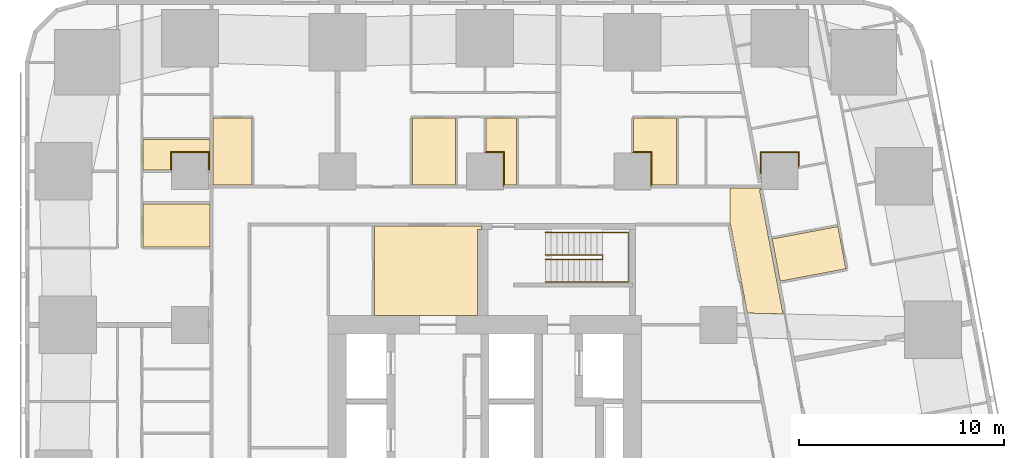
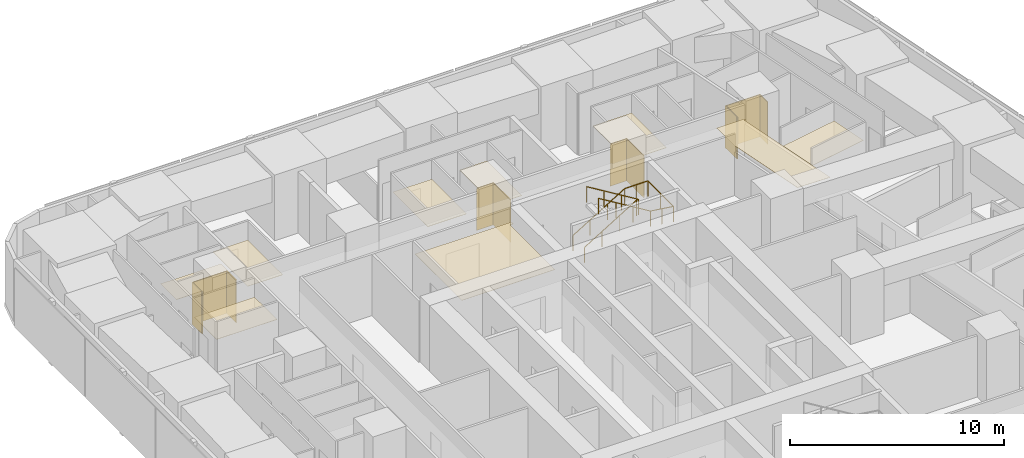
# One storey, part 18 of 18: 13 coverings, 2 railings.
"""IFC4 building model written with IfcOpenShell, lengths in metres."""

from ifc_helpers import new_model, si_unit, direction, frame, origin, origin_2d, place, context, subcontext, project, spatial, polyline, circle, outline, extrude, material, layer, layer_set, type_object, element, save


model = new_model("IFC4")

# Units and contexts
model_context = context("Model", 3, precision=1e-05, world=origin(), true_north=direction((0.0, 1.0)))
body_context = subcontext(model_context, "Body", "Model", "MODEL_VIEW")
ifc_project = project(units=[si_unit("LENGTHUNIT", "METRE"), si_unit("AREAUNIT", "SQUARE_METRE"), si_unit("VOLUMEUNIT", "CUBIC_METRE"), si_unit("PLANEANGLEUNIT", "RADIAN"), si_unit("MASSUNIT", "GRAM", prefix="KILO")], contexts=[model_context])

# Site, building, storey
site_placement = place(None, origin())
site = spatial("IfcSite", under=ifc_project, at=site_placement, CompositionType="ELEMENT")
building_placement = place(site_placement, origin())
building = spatial("IfcBuilding", under=site, at=building_placement, Name="Sheger Commons Tower", CompositionType="ELEMENT")
storey_placement = place(building_placement, frame((0.0, 0.0, 31.25)))
storey = spatial("IfcBuildingStorey", under=building, at=storey_placement, Name="L07", CompositionType="ELEMENT", Elevation=31.25)

# Railings
ifc_material_1 = material(Name="Steel handrail, black powder-coated", Category="steel")
railing_type = type_object("IfcRailingType", Name="HANDRAIL 900", PredefinedType="HANDRAIL", material=ifc_material_1)
railing_1_placement = place(storey_placement, frame((24.550048828125, 33.39990234375, 0.17041015625)))
element("IfcRailing", 1, at=railing_1_placement, inside=storey, type_object=railing_type, Name="Stair S2 handrail L07", PredefinedType="HANDRAIL", context=body_context, shape_type="SweptSolid", body=[
    extrude(circle(Radius=0.02392578125, at=origin_2d()), frame((0.0, 0.0, 0.8759765625), z_axis=(0.854169791009, 0.0, 0.51999420009), x_axis=(0.0, 1.0, 0.0)), (0.0, 0.0, 1.0), 3.278076171875),
    extrude(circle(Radius=0.02392578125, at=origin_2d()), frame((2.800048828125, 0.0, 2.58056640625), z_axis=(0.0, -0.761090297175, 0.648645943136), x_axis=(1.0, 0.0, 0.0)), (0.0, 0.0, 1.0), 0.2626953125),
    extrude(circle(Radius=0.02392578125, at=origin_2d()), frame((2.800048828125, -0.199951171875, 2.7509765625), z_axis=(-0.854169791009, 0.0, 0.51999420009), x_axis=(0.0, -1.0, 0.0)), (0.0, 0.0, 1.0), 3.278076171875),
    extrude(circle(Radius=0.02099609375, at=origin_2d()), origin(), (0.0, 0.0, 1.0), 0.851806640625),
    extrude(circle(Radius=0.02099609375, at=origin_2d()), frame((0.933349609375, 0.0, 0.568115234375)), (0.0, 0.0, 1.0), 0.851806640625),
    extrude(circle(Radius=0.02099609375, at=origin_2d()), frame((1.86669921875, 0.0, 1.136474609375)), (0.0, 0.0, 1.0), 0.851806640625),
    extrude(circle(Radius=0.02099609375, at=origin_2d()), frame((2.800048828125, 0.0, 1.70458984375)), (0.0, 0.0, 1.0), 0.851806640625),
    extrude(circle(Radius=0.02099609375, at=origin_2d()), frame((2.800048828125, -0.199951171875, 1.875)), (0.0, 0.0, 1.0), 0.851806640625),
    extrude(circle(Radius=0.02099609375, at=origin_2d()), frame((1.86669921875, -0.199951171875, 2.443115234375)), (0.0, 0.0, 1.0), 0.851806640625),
    extrude(circle(Radius=0.02099609375, at=origin_2d()), frame((0.933349609375, -0.199951171875, 3.011474609375)), (0.0, 0.0, 1.0), 0.851806640625),
    extrude(circle(Radius=0.02099609375, at=origin_2d()), frame((0.0, -0.199951171875, 3.57958984375)), (0.0, 0.0, 1.0), 0.851806640625),
])
railing_2_placement = place(storey_placement, frame((24.550048828125, 34.5, 0.17041015625)))
element("IfcRailing", 2, at=railing_2_placement, inside=storey, type_object=railing_type, Name="Stair S2 handrail L07", PredefinedType="HANDRAIL", context=body_context, shape_type="SweptSolid", body=[
    extrude(circle(Radius=0.02392578125, at=origin_2d()), frame((0.0, 0.0, 0.8759765625), z_axis=(0.854169791009, 0.0, 0.51999420009), x_axis=(0.0, 1.0, 0.0)), (0.0, 0.0, 1.0), 3.278076171875),
    extrude(circle(Radius=0.02392578125, at=origin_2d()), frame((2.800048828125, 0.0, 2.58056640625), z_axis=(1.0, 0.0, 0.0), x_axis=(0.0, 1.0, 0.0)), (0.0, 0.0, 1.0), 1.25),
    extrude(circle(Radius=0.02392578125, at=origin_2d()), frame((4.050048828125, 0.0, 2.58056640625), z_axis=(0.0, -1.0, 0.0), x_axis=(1.0, 0.0, 0.0)), (0.0, 0.0, 1.0), 2.39990234375),
    extrude(circle(Radius=0.02392578125, at=origin_2d()), frame((4.050048828125, -2.39990234375, 2.58056640625), z_axis=(-0.990834877927, 0.0, 0.135078661092), x_axis=(0.0, -1.0, 0.0)), (0.0, 0.0, 1.0), 1.261474609375),
    extrude(circle(Radius=0.02392578125, at=origin_2d()), frame((2.800048828125, -2.39990234375, 2.7509765625), z_axis=(-0.854169791009, 0.0, 0.51999420009), x_axis=(0.0, -1.0, 0.0)), (0.0, 0.0, 1.0), 3.278076171875),
    extrude(circle(Radius=0.02099609375, at=origin_2d()), origin(), (0.0, 0.0, 1.0), 0.851806640625),
    extrude(circle(Radius=0.02099609375, at=origin_2d()), frame((0.933349609375, 0.0, 0.568115234375)), (0.0, 0.0, 1.0), 0.851806640625),
    extrude(circle(Radius=0.02099609375, at=origin_2d()), frame((1.86669921875, 0.0, 1.136474609375)), (0.0, 0.0, 1.0), 0.851806640625),
    extrude(circle(Radius=0.02099609375, at=origin_2d()), frame((2.800048828125, 0.0, 1.70458984375)), (0.0, 0.0, 1.0), 0.851806640625),
    extrude(circle(Radius=0.02099609375, at=origin_2d()), frame((3.425048828125, 0.0, 1.70458984375)), (0.0, 0.0, 1.0), 0.851806640625),
    extrude(circle(Radius=0.02099609375, at=origin_2d()), frame((4.050048828125, 0.0, 1.70458984375)), (0.0, 0.0, 1.0), 0.851806640625),
    extrude(circle(Radius=0.02099609375, at=origin_2d()), frame((4.050048828125, -1.199951171875, 1.70458984375)), (0.0, 0.0, 1.0), 0.851806640625),
    extrude(circle(Radius=0.02099609375, at=origin_2d()), frame((4.050048828125, -2.39990234375, 1.70458984375)), (0.0, 0.0, 1.0), 0.851806640625),
    extrude(circle(Radius=0.02099609375, at=origin_2d()), frame((3.425048828125, -2.39990234375, 1.789794921875)), (0.0, 0.0, 1.0), 0.851806640625),
    extrude(circle(Radius=0.02099609375, at=origin_2d()), frame((2.800048828125, -2.39990234375, 1.875)), (0.0, 0.0, 1.0), 0.851806640625),
    extrude(circle(Radius=0.02099609375, at=origin_2d()), frame((1.86669921875, -2.39990234375, 2.443115234375)), (0.0, 0.0, 1.0), 0.851806640625),
    extrude(circle(Radius=0.02099609375, at=origin_2d()), frame((0.933349609375, -2.39990234375, 3.011474609375)), (0.0, 0.0, 1.0), 0.851806640625),
    extrude(circle(Radius=0.02099609375, at=origin_2d()), frame((0.0, -2.39990234375, 3.57958984375)), (0.0, 0.0, 1.0), 0.851806640625),
])

# Coverings
ifc_material_2 = material(Name="Moisture-resistant gypsum plasterboard 15 mm on a suspended galvanised steel grid", Category="steel")
ifc_layer_1 = layer(ifc_material_2, 0.014892578125)
ifc_layer_set_1 = layer_set([ifc_layer_1], Name="MOISTURE-RESISTANT CEILING 15")
covering_type_1 = type_object("IfcCoveringType", Name="MOISTURE-RESISTANT CEILING 15", PredefinedType="CEILING", material=ifc_layer_set_1)
covering_1_placement = place(storey_placement, frame((0.0, 0.0, 2.39990234375)))
element("IfcCovering", 3, at=covering_1_placement, inside=storey, type_object=covering_type_1, Name="L07-03.B1 ceiling", PredefinedType="CEILING", context=body_context, shape_type="SweptSolid", body=[
    extrude(outline(polyline([(4.905029296875, 33.804931640625), (8.169921875, 33.804931640625), (8.169921875, 35.905029296875), (4.905029296875, 35.905029296875), (4.905029296875, 33.804931640625)])), origin(), (0.0, 0.0, 1.0), 0.01513671875),
])
covering_2_placement = place(storey_placement, frame((0.0, 0.0, 2.39990234375)))
element("IfcCovering", 4, at=covering_2_placement, inside=storey, type_object=covering_type_1, Name="L07-03.B2 ceiling", PredefinedType="CEILING", context=body_context, shape_type="SweptSolid", body=[
    extrude(outline(polyline([(4.905029296875, 37.554931640625), (6.294921875, 37.554931640625), (6.294921875, 38.405029296875), (8.10498046875, 38.405029296875), (8.10498046875, 37.554931640625), (8.169921875, 37.554931640625), (8.169921875, 39.044921875), (4.905029296875, 39.044921875), (4.905029296875, 37.554931640625)])), origin(), (0.0, 0.0, 1.0), 0.01513671875),
])
covering_3_placement = place(storey_placement, frame((0.0, 0.0, 2.39990234375)))
element("IfcCovering", 5, at=covering_3_placement, inside=storey, type_object=covering_type_1, Name="L07-08.B1 ceiling", PredefinedType="CEILING", context=body_context, shape_type="SweptSolid", body=[
    extrude(outline(polyline([(36.01708984375, 32.1298828125), (39.22412109375, 32.736083984375), (38.833984375, 34.800048828125), (35.626953125, 34.194091796875), (36.01708984375, 32.1298828125)])), origin(), (0.0, 0.0, 1.0), 0.01513671875),
])
covering_4_placement = place(storey_placement, frame((0.0, 0.0, 2.39990234375)))
element("IfcCovering", 6, at=covering_4_placement, inside=storey, type_object=covering_type_1, Name="L07-11.B1 ceiling", PredefinedType="CEILING", context=body_context, shape_type="SweptSolid", body=[
    extrude(outline(polyline([(8.330078125, 36.830078125), (10.22412109375, 36.830078125), (10.22412109375, 40.094970703125), (8.330078125, 40.094970703125), (8.330078125, 36.830078125)])), origin(), (0.0, 0.0, 1.0), 0.01513671875),
])
covering_5_placement = place(storey_placement, frame((0.0, 0.0, 2.39990234375)))
element("IfcCovering", 7, at=covering_5_placement, inside=storey, type_object=covering_type_1, Name="L07-12.B1 ceiling", PredefinedType="CEILING", context=body_context, shape_type="SweptSolid", body=[
    extrude(outline(polyline([(18.054931640625, 36.830078125), (20.155029296875, 36.830078125), (20.155029296875, 40.094970703125), (18.054931640625, 40.094970703125), (18.054931640625, 36.830078125)])), origin(), (0.0, 0.0, 1.0), 0.01513671875),
])
covering_6_placement = place(storey_placement, frame((0.0, 0.0, 2.39990234375)))
element("IfcCovering", 8, at=covering_6_placement, inside=storey, type_object=covering_type_1, Name="L07-12.B2 ceiling", PredefinedType="CEILING", context=body_context, shape_type="SweptSolid", body=[
    extrude(outline(polyline([(22.5048828125, 36.830078125), (23.14501953125, 36.830078125), (23.14501953125, 40.094970703125), (21.655029296875, 40.094970703125), (21.655029296875, 38.405029296875), (22.5048828125, 38.405029296875), (22.5048828125, 36.830078125)])), origin(), (0.0, 0.0, 1.0), 0.01513671875),
])
covering_7_placement = place(storey_placement, frame((0.0, 0.0, 2.39990234375)))
element("IfcCovering", 9, at=covering_7_placement, inside=storey, type_object=covering_type_1, Name="L07-13.B1 ceiling", PredefinedType="CEILING", context=body_context, shape_type="SweptSolid", body=[
    extrude(outline(polyline([(29.705078125, 36.830078125), (30.955078125, 36.830078125), (30.955078125, 40.094970703125), (28.85498046875, 40.094970703125), (28.85498046875, 38.405029296875), (29.705078125, 38.405029296875), (29.705078125, 36.830078125)])), origin(), (0.0, 0.0, 1.0), 0.01513671875),
])
ifc_material_3 = material(Name="Gypsum plasterboard 15 mm on a suspended steel grid", Category="steel")
ifc_layer_2 = layer(ifc_material_3, 0.014892578125)
ifc_layer_set_2 = layer_set([ifc_layer_2], Name="SUSPENDED CEILING 15")
covering_type_2 = type_object("IfcCoveringType", Name="SUSPENDED CEILING 15", PredefinedType="CEILING", material=ifc_layer_set_2)
covering_8_placement = place(storey_placement, frame((0.0, 0.0, 2.699951171875)))
element("IfcCovering", 10, at=covering_8_placement, inside=storey, type_object=covering_type_2, Name="L07-CO ceiling", PredefinedType="CEILING", context=body_context, shape_type="SweptSolid", body=[
    extrude(outline(polyline([(36.155029296875, 30.533935546875), (35.013916015625, 36.574951171875), (35.092041015625, 36.590087890625), (35.076904296875, 36.669921875), (33.572998046875, 36.669921875), (33.572998046875, 34.947998046875), (33.571044921875, 34.947998046875), (33.589111328125, 34.85205078125), (33.60595703125, 34.85498046875), (34.4150390625, 30.572998046875), (36.155029296875, 30.533935546875)])), origin(), (0.0, 0.0, 1.0), 0.01513671875),
])
covering_9_placement = place(storey_placement, frame((0.0, 0.0, 2.699951171875)))
element("IfcCovering", 11, at=covering_9_placement, inside=storey, type_object=covering_type_2, Name="L07-SVN1 ceiling", PredefinedType="CEILING", context=body_context, shape_type="SweptSolid", body=[
    extrude(outline(polyline([(16.217041015625, 30.455078125), (21.2451171875, 30.455078125), (21.2451171875, 34.655029296875), (21.445068359375, 34.655029296875), (21.445068359375, 34.83203125), (16.217041015625, 34.83203125), (16.217041015625, 30.455078125)])), origin(), (0.0, 0.0, 1.0), 0.01513671875),
])
ifc_material_4 = material(Name="Moisture-resistant gypsum board 12.5 mm on 25 mm treated timber battens, tanked and tiled", Category="wood")
ifc_layer_3 = layer(ifc_material_4, 0.050048828125)
ifc_layer_set_3 = layer_set([ifc_layer_3], Name="WET-ROOM COLUMN LINING")
covering_type_3 = type_object("IfcCoveringType", Name="WET-ROOM COLUMN LINING", PredefinedType="CLADDING", material=ifc_layer_set_3)
covering_10_placement = place(storey_placement, origin())
element("IfcCovering", 12, at=covering_10_placement, inside=storey, type_object=covering_type_3, Name="Shower room column lining C8 L07", PredefinedType="CLADDING", context=body_context, shape_type="SweptSolid", body=[
    extrude(outline(polyline([(8.14990234375, 38.449951171875), (8.14990234375, 37.550048828125), (8.10107421875, 37.550048828125), (8.10107421875, 37.5), (8.10009765625, 37.5), (8.10009765625, 38.39990234375), (6.300048828125, 38.39990234375), (6.300048828125, 37.5), (6.299072265625, 37.5), (6.299072265625, 37.550048828125), (6.25, 37.550048828125), (6.25, 38.449951171875), (8.14990234375, 38.449951171875)])), origin(), (0.0, 0.0, 1.0), 2.39990234375),
])
covering_11_placement = place(storey_placement, origin())
element("IfcCovering", 13, at=covering_11_placement, inside=storey, type_object=covering_type_3, Name="Shower room column lining C8 L07", PredefinedType="CLADDING", context=body_context, shape_type="SweptSolid", body=[
    extrude(outline(polyline([(22.550048828125, 36.824951171875), (22.5009765625, 36.824951171875), (22.5009765625, 36.75), (22.5, 36.75), (22.5, 38.39990234375), (21.60009765625, 38.39990234375), (21.60009765625, 38.40087890625), (21.64990234375, 38.40087890625), (21.64990234375, 38.449951171875), (22.550048828125, 38.449951171875), (22.550048828125, 36.824951171875)])), origin(), (0.0, 0.0, 1.0), 2.39990234375),
])
covering_12_placement = place(storey_placement, origin())
element("IfcCovering", 14, at=covering_12_placement, inside=storey, type_object=covering_type_3, Name="Bathroom column lining C8 L07", PredefinedType="CLADDING", context=body_context, shape_type="SweptSolid", body=[
    extrude(outline(polyline([(29.75, 36.824951171875), (29.700927734375, 36.824951171875), (29.700927734375, 36.75), (29.699951171875, 36.75), (29.699951171875, 38.39990234375), (28.800048828125, 38.39990234375), (28.800048828125, 38.40087890625), (28.85009765625, 38.40087890625), (28.85009765625, 38.449951171875), (29.75, 38.449951171875), (29.75, 36.824951171875)])), origin(), (0.0, 0.0, 1.0), 2.39990234375),
])
covering_13_placement = place(storey_placement, origin())
element("IfcCovering", 15, at=covering_13_placement, inside=storey, type_object=covering_type_3, Name="Laundry room column lining C8 L07", PredefinedType="CLADDING", context=body_context, shape_type="SweptSolid", body=[
    extrude(outline(polyline([(36.949951171875, 38.449951171875), (36.949951171875, 37.72998046875), (36.90087890625, 37.720947265625), (36.909912109375, 37.672119140625), (36.89990234375, 37.669921875), (36.89990234375, 38.39990234375), (35.10009765625, 38.39990234375), (35.10009765625, 37.330078125), (35.090087890625, 37.327880859375), (35.0810546875, 37.376953125), (35.050048828125, 37.37109375), (35.050048828125, 38.449951171875), (36.949951171875, 38.449951171875)])), origin(), (0.0, 0.0, 1.0), 2.39990234375),
])

save(model, "model.ifc")
